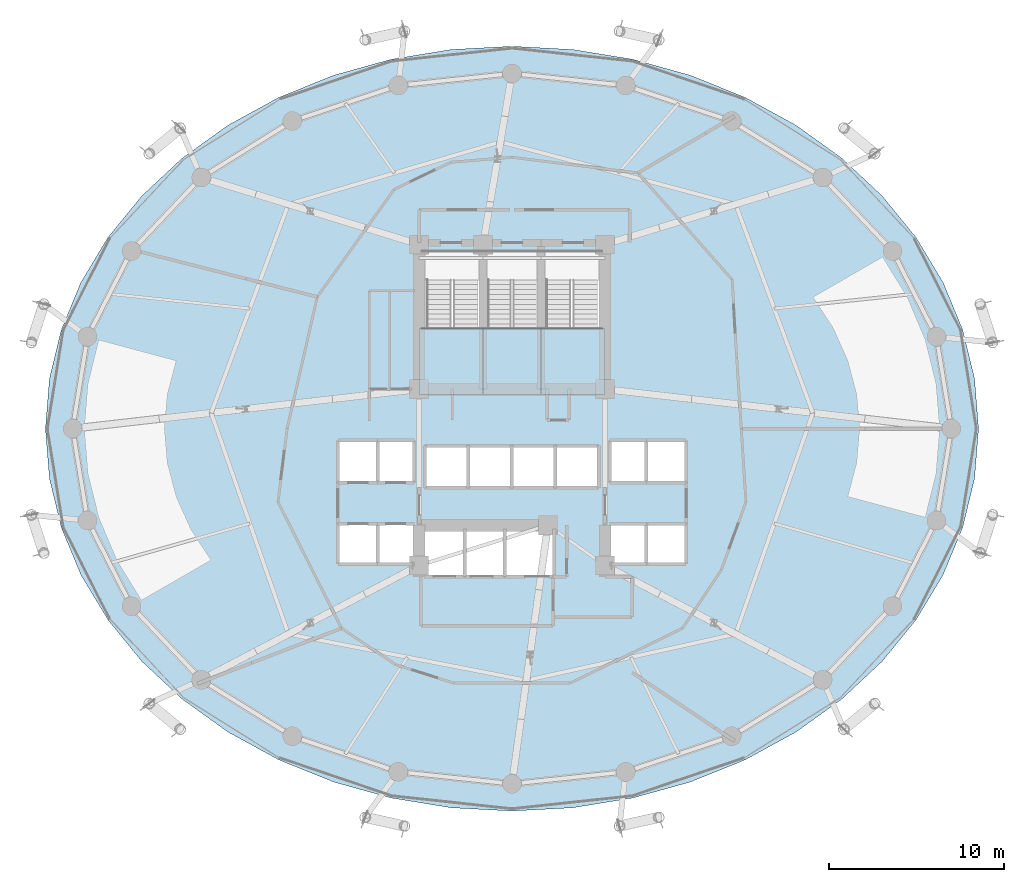
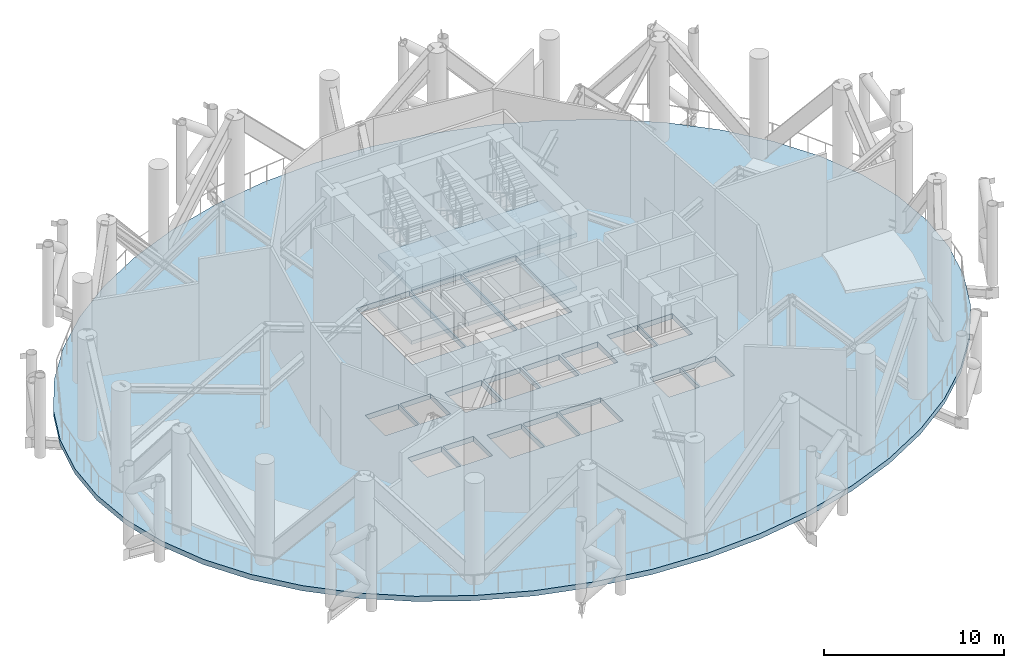
# One storey, part 6 of 19: 7 slabs, 3 elements without a shape of their own.
"""IFC4 building model written with IfcOpenShell, lengths in metres."""

from ifc_helpers import new_model, si_unit, direction, frame, origin, place, context, subcontext, project, spatial, polyline, outline, extrude, material, layer, layer_set, type_object, element, aggregate, save


model = new_model("IFC4")

# Units and contexts
model_context = context("Model", 3, precision=1e-05, world=origin(), true_north=direction((0.0, 1.0)))
body_context = subcontext(model_context, "Body", "Model", "MODEL_VIEW")
ifc_project = project(units=[si_unit("LENGTHUNIT", "METRE"), si_unit("AREAUNIT", "SQUARE_METRE"), si_unit("VOLUMEUNIT", "CUBIC_METRE"), si_unit("PLANEANGLEUNIT", "RADIAN"), si_unit("MASSUNIT", "GRAM", prefix="KILO")], contexts=[model_context])

# Site, building, storey
site_placement = place(None, origin())
site = spatial("IfcSite", under=ifc_project, at=site_placement, CompositionType="ELEMENT")
building_placement = place(site_placement, origin())
building = spatial("IfcBuilding", under=site, at=building_placement, Name="Nuhasar Tower", CompositionType="ELEMENT")
storey_placement = place(building_placement, frame((0.0, 0.0, 106.050048828125)))
storey = spatial("IfcBuildingStorey", under=building, at=storey_placement, Name="L25", CompositionType="ELEMENT", Elevation=106.050048828125)

# Slab
ifc_material_1 = material(Name="Concrete C60/75", Category="concrete")
ifc_layer_1 = layer(ifc_material_1, 0.35009765625)
ifc_layer_set_1 = layer_set([ifc_layer_1], Name="Concrete C60/75")
slab_type_1 = type_object("IfcSlabType", Name="SLB-OUT-350", PredefinedType="FLOOR", material=ifc_layer_set_1)
slab_1_placement = place(storey_placement, frame((0.0, 0.0, -0.35009765625)))
element("IfcSlab", 1, at=slab_1_placement, inside=storey, type_object=slab_type_1, Name="L25 Structural Slab", PredefinedType="FLOOR", context=body_context, shape_type="SweptSolid", body=[
    extrude(outline(polyline([(65.60009765625, 26.800048828125), (65.3720703125, 29.64501953125), (64.694091796875, 32.44189453125), (63.574951171875, 35.14208984375), (62.035888671875, 37.699951171875), (60.10302734375, 40.071044921875), (57.80908203125, 42.215087890625), (55.193115234375, 44.094970703125), (52.300048828125, 45.678955078125), (49.178955078125, 46.94091796875), (45.885009765625, 47.85693359375), (42.471923828125, 48.4130859375), (39.0, 48.60009765625), (35.528076171875, 48.4130859375), (32.114990234375, 47.85693359375), (28.821044921875, 46.94091796875), (25.699951171875, 45.678955078125), (22.806884765625, 44.094970703125), (20.19091796875, 42.215087890625), (17.89697265625, 40.071044921875), (15.964111328125, 37.699951171875), (14.425048828125, 35.14208984375), (13.305908203125, 32.44189453125), (12.6279296875, 29.64501953125), (12.39990234375, 26.800048828125), (12.6279296875, 23.955078125), (13.305908203125, 21.157958984375), (14.425048828125, 18.4580078125), (15.964111328125, 15.89990234375), (17.89697265625, 13.529052734375), (20.19091796875, 11.385009765625), (22.806884765625, 9.5048828125), (25.699951171875, 7.9208984375), (28.821044921875, 6.658935546875), (32.114990234375, 5.742919921875), (35.528076171875, 5.18701171875), (39.0, 5.0), (42.471923828125, 5.18701171875), (45.885009765625, 5.742919921875), (49.178955078125, 6.658935546875), (52.300048828125, 7.9208984375), (55.193115234375, 9.5048828125), (57.80908203125, 11.385009765625), (60.10302734375, 13.529052734375), (62.035888671875, 15.89990234375), (63.574951171875, 18.4580078125), (64.694091796875, 21.157958984375), (65.3720703125, 23.955078125), (65.60009765625, 26.800048828125)]), holes=[polyline([(33.8798828125, 35.25), (37.300048828125, 35.25), (37.300048828125, 29.0), (33.8798828125, 29.0), (33.8798828125, 35.25)]), polyline([(37.39990234375, 35.25), (40.60009765625, 35.25), (40.60009765625, 29.0), (37.39990234375, 29.0), (37.39990234375, 35.25)]), polyline([(40.699951171875, 35.25), (44.1201171875, 35.25), (44.1201171875, 29.0), (40.699951171875, 29.0), (40.699951171875, 35.25)]), polyline([(29.14990234375, 26.050048828125), (31.300048828125, 26.050048828125), (31.300048828125, 23.800048828125), (29.14990234375, 23.800048828125), (29.14990234375, 26.050048828125)]), polyline([(31.39990234375, 26.050048828125), (33.35009765625, 26.050048828125), (33.35009765625, 23.800048828125), (31.39990234375, 23.800048828125), (31.39990234375, 26.050048828125)]), polyline([(29.14990234375, 21.300048828125), (31.300048828125, 21.300048828125), (31.300048828125, 19.14990234375), (29.14990234375, 19.14990234375), (29.14990234375, 21.300048828125)]), polyline([(31.39990234375, 21.300048828125), (33.35009765625, 21.300048828125), (33.35009765625, 19.14990234375), (31.39990234375, 19.14990234375), (31.39990234375, 21.300048828125)]), polyline([(44.64990234375, 26.050048828125), (46.60009765625, 26.050048828125), (46.60009765625, 23.800048828125), (44.64990234375, 23.800048828125), (44.64990234375, 26.050048828125)]), polyline([(46.699951171875, 26.050048828125), (48.85009765625, 26.050048828125), (48.85009765625, 23.800048828125), (46.699951171875, 23.800048828125), (46.699951171875, 26.050048828125)]), polyline([(44.64990234375, 21.300048828125), (46.60009765625, 21.300048828125), (46.60009765625, 19.14990234375), (44.64990234375, 19.14990234375), (44.64990234375, 21.300048828125)]), polyline([(46.699951171875, 21.300048828125), (48.85009765625, 21.300048828125), (48.85009765625, 19.14990234375), (46.699951171875, 19.14990234375), (46.699951171875, 21.300048828125)]), polyline([(34.10009765625, 25.75), (36.43994140625, 25.75), (36.43994140625, 23.5), (34.10009765625, 23.5), (34.10009765625, 25.75)]), polyline([(36.580078125, 25.75), (38.919921875, 25.75), (38.919921875, 23.5), (36.580078125, 23.5), (36.580078125, 25.75)]), polyline([(39.06005859375, 25.75), (41.39990234375, 25.75), (41.39990234375, 23.5), (39.06005859375, 23.5), (39.06005859375, 25.75)]), polyline([(41.5400390625, 25.75), (43.8798828125, 25.75), (43.8798828125, 23.5), (41.5400390625, 23.5), (41.5400390625, 25.75)]), polyline([(34.050048828125, 21.0), (36.25, 21.0), (36.25, 18.449951171875), (34.050048828125, 18.449951171875), (34.050048828125, 21.0)]), polyline([(36.35009765625, 21.0), (38.550048828125, 21.0), (38.550048828125, 18.449951171875), (36.35009765625, 18.449951171875), (36.35009765625, 21.0)]), polyline([(38.64990234375, 21.0), (41.320068359375, 21.0), (41.320068359375, 18.449951171875), (38.64990234375, 18.449951171875), (38.64990234375, 21.0)])]), origin(), (0.0, 0.0, 1.0), 0.35009765625),
])

# Stair, slabs
ifc_material_2 = material(Name="Concrete C45/55", Category="concrete")
stair_type_1 = type_object("IfcStairType", Name="STR-ST-01-4F-44R-1636", PredefinedType="HALF_TURN_STAIR", material=ifc_material_2)
stair_1_placement = place(storey_placement, origin())
stair_1 = element("IfcStair", 2, at=stair_1_placement, inside=storey, type_object=stair_type_1, Name="L25 Exit Stair ST-01", PredefinedType="HALF_TURN_STAIR")
ifc_layer_2 = layer(ifc_material_2, 0.239990234375)
ifc_layer_set_2 = layer_set([ifc_layer_2], Name="Concrete C45/55")
slab_type_2 = type_object("IfcSlabType", Name="SLB-STAIR-LND-240", PredefinedType="LANDING", material=ifc_layer_set_2)
slab_2_placement = place(storey_placement, frame((0.0, 0.0, 1.56005859375)))
slab_2 = element("IfcSlab", 3, at=slab_2_placement, type_object=slab_type_2, Name="ST-01 landing 1", PredefinedType="LANDING", context=body_context, shape_type="SweptSolid", body=[
    extrude(outline(polyline([(33.699951171875, 28.75), (37.35009765625, 28.75), (37.35009765625, 32.52001953125), (33.699951171875, 32.52001953125), (33.699951171875, 28.75)])), origin(), (0.0, 0.0, 1.0), 0.239990234375),
])
slab_3_placement = place(storey_placement, frame((0.0, 0.0, 5.159912109375)))
slab_3 = element("IfcSlab", 4, at=slab_3_placement, type_object=slab_type_2, Name="ST-01 landing 3", PredefinedType="LANDING", context=body_context, shape_type="SweptSolid", body=[
    extrude(outline(polyline([(33.699951171875, 28.75), (37.35009765625, 28.75), (37.35009765625, 32.52001953125), (33.699951171875, 32.52001953125), (33.699951171875, 28.75)])), origin(), (0.0, 0.0, 1.0), 0.239990234375),
])
aggregate(stair_1, [slab_2, slab_3])

stair_type_2 = type_object("IfcStairType", Name="STR-ST-03-4F-44R-1636", PredefinedType="HALF_TURN_STAIR", material=ifc_material_2)
stair_2_placement = place(storey_placement, origin())
stair_2 = element("IfcStair", 5, at=stair_2_placement, inside=storey, type_object=stair_type_2, Name="L25 Exit Stair ST-03", PredefinedType="HALF_TURN_STAIR")
slab_4_placement = place(storey_placement, frame((0.0, 0.0, 1.56005859375)))
slab_4 = element("IfcSlab", 6, at=slab_4_placement, type_object=slab_type_2, Name="ST-03 landing 1", PredefinedType="LANDING", context=body_context, shape_type="SweptSolid", body=[
    extrude(outline(polyline([(37.35009765625, 28.75), (40.64990234375, 28.75), (40.64990234375, 32.52001953125), (37.35009765625, 32.52001953125), (37.35009765625, 28.75)])), origin(), (0.0, 0.0, 1.0), 0.239990234375),
])
slab_5_placement = place(storey_placement, frame((0.0, 0.0, 5.159912109375)))
slab_5 = element("IfcSlab", 7, at=slab_5_placement, type_object=slab_type_2, Name="ST-03 landing 3", PredefinedType="LANDING", context=body_context, shape_type="SweptSolid", body=[
    extrude(outline(polyline([(37.35009765625, 28.75), (40.64990234375, 28.75), (40.64990234375, 32.52001953125), (37.35009765625, 32.52001953125), (37.35009765625, 28.75)])), origin(), (0.0, 0.0, 1.0), 0.239990234375),
])
aggregate(stair_2, [slab_4, slab_5])

stair_type_3 = type_object("IfcStairType", Name="STR-ST-02-4F-44R-1636", PredefinedType="HALF_TURN_STAIR", material=ifc_material_2)
stair_3_placement = place(storey_placement, origin())
stair_3 = element("IfcStair", 8, at=stair_3_placement, inside=storey, type_object=stair_type_3, Name="L25 Exit Stair ST-02", PredefinedType="HALF_TURN_STAIR")
slab_6_placement = place(storey_placement, frame((0.0, 0.0, 1.56005859375)))
slab_6 = element("IfcSlab", 9, at=slab_6_placement, type_object=slab_type_2, Name="ST-02 landing 1", PredefinedType="LANDING", context=body_context, shape_type="SweptSolid", body=[
    extrude(outline(polyline([(40.64990234375, 28.75), (44.300048828125, 28.75), (44.300048828125, 32.52001953125), (40.64990234375, 32.52001953125), (40.64990234375, 28.75)])), origin(), (0.0, 0.0, 1.0), 0.239990234375),
])
slab_7_placement = place(storey_placement, frame((0.0, 0.0, 5.159912109375)))
slab_7 = element("IfcSlab", 10, at=slab_7_placement, type_object=slab_type_2, Name="ST-02 landing 3", PredefinedType="LANDING", context=body_context, shape_type="SweptSolid", body=[
    extrude(outline(polyline([(40.64990234375, 28.75), (44.300048828125, 28.75), (44.300048828125, 32.52001953125), (40.64990234375, 32.52001953125), (40.64990234375, 28.75)])), origin(), (0.0, 0.0, 1.0), 0.239990234375),
])
aggregate(stair_3, [slab_6, slab_7])

save(model, "model.ifc")
